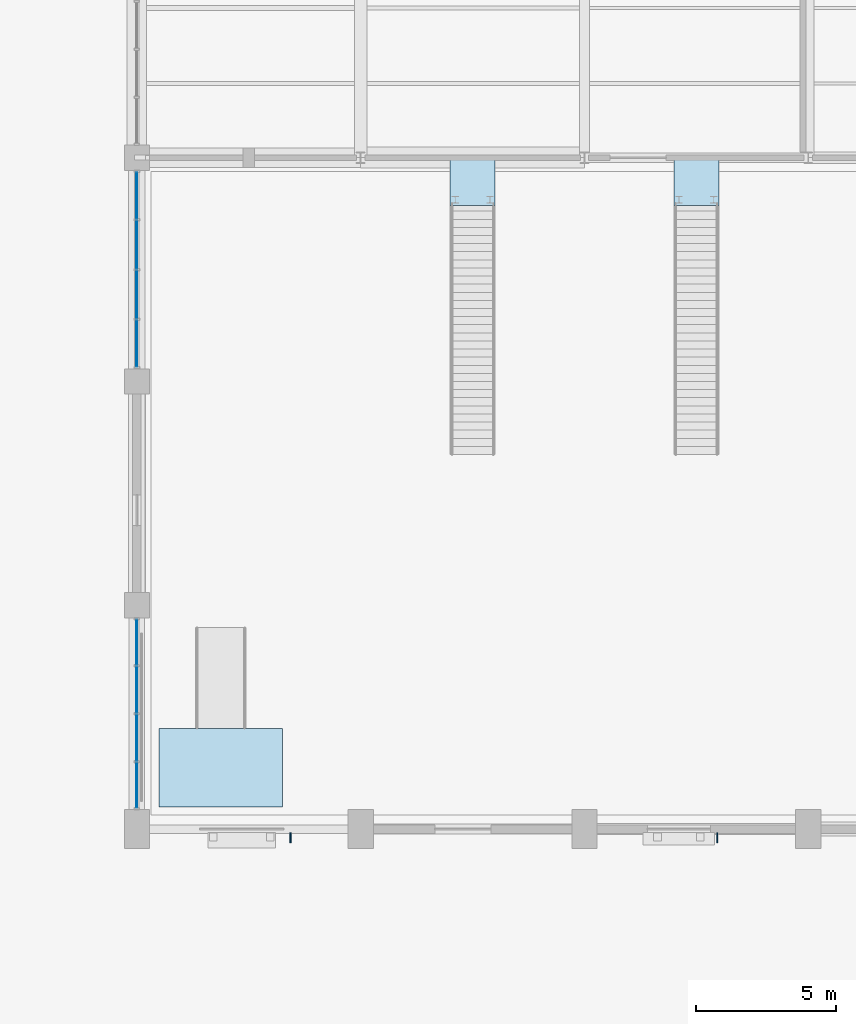
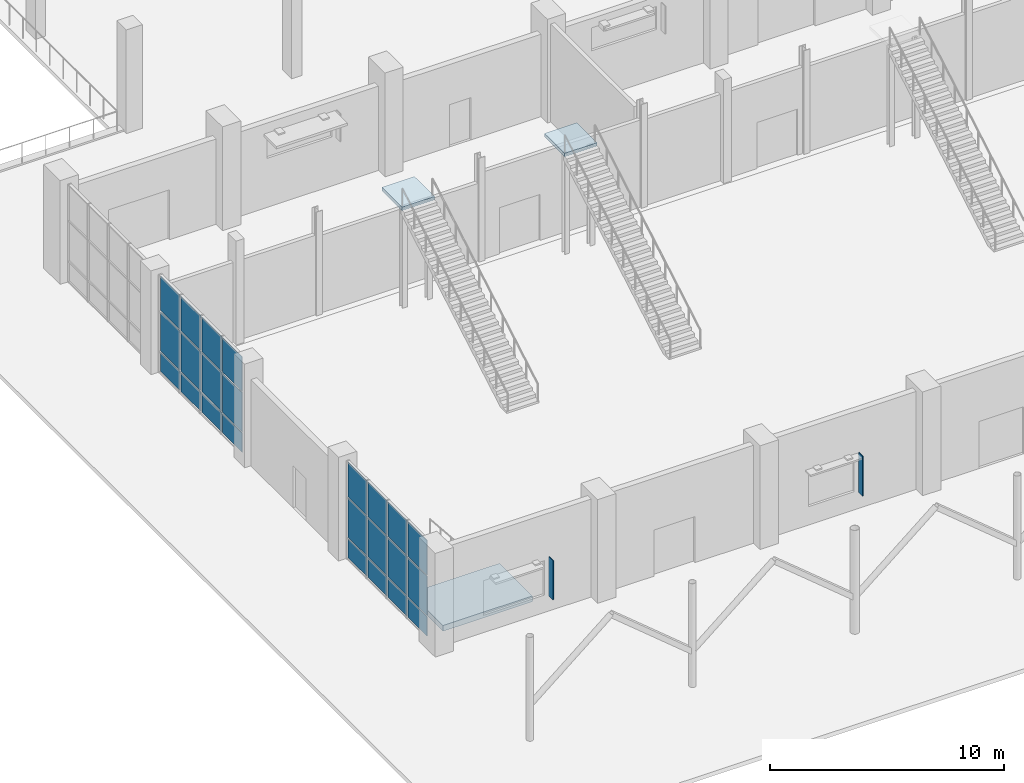
# One storey, part 65 of 123: 26 plates, 3 slabs, 4 elements without a shape of their own.
"""IFC4 building model written with IfcOpenShell, lengths in metres."""

from ifc_helpers import new_model, si_unit, direction, frame, origin, origin_2d, place, context, subcontext, project, spatial, polyline, rectangle, outline, extrude, material, layer, layer_set, type_object, element, aggregate, save


model = new_model("IFC4")

# Units and contexts
model_context = context("Model", 3, precision=1e-05, world=origin(), true_north=direction((0.0, 1.0)))
body_context = subcontext(model_context, "Body", "Model", "MODEL_VIEW")
ifc_project = project(units=[si_unit("LENGTHUNIT", "METRE"), si_unit("AREAUNIT", "SQUARE_METRE"), si_unit("VOLUMEUNIT", "CUBIC_METRE"), si_unit("PLANEANGLEUNIT", "RADIAN"), si_unit("MASSUNIT", "GRAM", prefix="KILO")], contexts=[model_context])

# Site, building, storey
site_placement = place(None, origin())
site = spatial("IfcSite", under=ifc_project, at=site_placement, CompositionType="ELEMENT")
building_placement = place(site_placement, origin())
building = spatial("IfcBuilding", under=site, at=building_placement, Name="Tenunan Teduh Sports Hall", CompositionType="ELEMENT")
storey_placement = place(building_placement, origin())
storey = spatial("IfcBuildingStorey", under=building, at=storey_placement, Name="L00", CompositionType="ELEMENT", Elevation=0.0)

# Curtain wall, plates
ifc_material_1 = material(Name="Anodised aluminium", Category="aluminium")
curtain_wall_type = type_object("IfcCurtainWallType", Name="CW-UNIT-2", PredefinedType="NOTDEFINED", material=ifc_material_1)
curtain_wall_1_placement = place(storey_placement, origin())
curtain_wall_1 = element("IfcCurtainWall", 1, at=curtain_wall_1_placement, inside=storey, type_object=curtain_wall_type, Name="CW-CWM-175-L00-034", PredefinedType="NOTDEFINED")
ifc_material_2 = material(Name="Low-E laminated double glazing", Category="glass")
ifc_layer_1 = layer(ifc_material_2, 0.028076171875)
ifc_layer_set_1 = layer_set([ifc_layer_1], Name="Low-E laminated double glazing")
plate_type_1 = type_object("IfcPlateType", Name="CWP-GLZ-28", PredefinedType="CURTAIN_PANEL", material=ifc_layer_set_1)
plate_1_placement = place(storey_placement, frame((6.0, 15.572509765625, 1.13232421875), z_axis=(0.0, 0.0, 1.0), x_axis=(0.0, 1.0, 0.0)))
plate_1 = element("IfcPlate", 2, at=plate_1_placement, type_object=plate_type_1, Name="CW-02 panel 1.2", PredefinedType="CURTAIN_PANEL", context=body_context, shape_type="SweptSolid", body=[
    extrude(rectangle(XDim=1.614990234375, YDim=0.028076171875, at=origin_2d()), origin(), (0.0, 0.0, 1.0), 2.034912109375),
])
plate_2_placement = place(storey_placement, frame((6.0, 15.572509765625, 3.232421875), z_axis=(0.0, 0.0, 1.0), x_axis=(0.0, 1.0, 0.0)))
plate_2 = element("IfcPlate", 3, at=plate_2_placement, type_object=plate_type_1, Name="CW-02 panel 1.3", PredefinedType="CURTAIN_PANEL", context=body_context, shape_type="SweptSolid", body=[
    extrude(rectangle(XDim=1.614990234375, YDim=0.028076171875, at=origin_2d()), origin(), (0.0, 0.0, 1.0), 1.802490234375),
])
plate_3_placement = place(storey_placement, frame((6.0, 17.268798828125, 1.13232421875), z_axis=(0.0, 0.0, 1.0), x_axis=(0.0, 1.0, 0.0)))
plate_3 = element("IfcPlate", 4, at=plate_3_placement, type_object=plate_type_1, Name="CW-02 panel 2.2", PredefinedType="CURTAIN_PANEL", context=body_context, shape_type="SweptSolid", body=[
    extrude(rectangle(XDim=1.6474609375, YDim=0.028076171875, at=origin_2d()), origin(), (0.0, 0.0, 1.0), 2.034912109375),
])
plate_4_placement = place(storey_placement, frame((6.0, 17.268798828125, 3.232421875), z_axis=(0.0, 0.0, 1.0), x_axis=(0.0, 1.0, 0.0)))
plate_4 = element("IfcPlate", 5, at=plate_4_placement, type_object=plate_type_1, Name="CW-02 panel 2.3", PredefinedType="CURTAIN_PANEL", context=body_context, shape_type="SweptSolid", body=[
    extrude(rectangle(XDim=1.6474609375, YDim=0.028076171875, at=origin_2d()), origin(), (0.0, 0.0, 1.0), 1.802490234375),
])
plate_5_placement = place(storey_placement, frame((6.0, 18.981201171875, 1.13232421875), z_axis=(0.0, 0.0, 1.0), x_axis=(0.0, 1.0, 0.0)))
plate_5 = element("IfcPlate", 6, at=plate_5_placement, type_object=plate_type_1, Name="CW-02 panel 3.2", PredefinedType="CURTAIN_PANEL", context=body_context, shape_type="SweptSolid", body=[
    extrude(rectangle(XDim=1.6474609375, YDim=0.028076171875, at=origin_2d()), origin(), (0.0, 0.0, 1.0), 2.034912109375),
])
plate_6_placement = place(storey_placement, frame((6.0, 18.981201171875, 3.232421875), z_axis=(0.0, 0.0, 1.0), x_axis=(0.0, 1.0, 0.0)))
plate_6 = element("IfcPlate", 7, at=plate_6_placement, type_object=plate_type_1, Name="CW-02 panel 3.3", PredefinedType="CURTAIN_PANEL", context=body_context, shape_type="SweptSolid", body=[
    extrude(rectangle(XDim=1.6474609375, YDim=0.028076171875, at=origin_2d()), origin(), (0.0, 0.0, 1.0), 1.802490234375),
])
plate_7_placement = place(storey_placement, frame((6.0, 20.677490234375, 1.13232421875), z_axis=(0.0, 0.0, 1.0), x_axis=(0.0, 1.0, 0.0)))
plate_7 = element("IfcPlate", 8, at=plate_7_placement, type_object=plate_type_1, Name="CW-02 panel 4.2", PredefinedType="CURTAIN_PANEL", context=body_context, shape_type="SweptSolid", body=[
    extrude(rectangle(XDim=1.614990234375, YDim=0.028076171875, at=origin_2d()), origin(), (0.0, 0.0, 1.0), 2.034912109375),
])
plate_8_placement = place(storey_placement, frame((6.0, 20.677490234375, 3.232421875), z_axis=(0.0, 0.0, 1.0), x_axis=(0.0, 1.0, 0.0)))
plate_8 = element("IfcPlate", 9, at=plate_8_placement, type_object=plate_type_1, Name="CW-02 panel 4.3", PredefinedType="CURTAIN_PANEL", context=body_context, shape_type="SweptSolid", body=[
    extrude(rectangle(XDim=1.614990234375, YDim=0.028076171875, at=origin_2d()), origin(), (0.0, 0.0, 1.0), 1.802490234375),
])

curtain_wall_2_placement = place(storey_placement, origin())
curtain_wall_2 = element("IfcCurtainWall", 10, at=curtain_wall_2_placement, inside=storey, type_object=curtain_wall_type, Name="CW-CWM-200-L00-036", PredefinedType="NOTDEFINED")
plate_9_placement = place(storey_placement, frame((6.0, 31.35498046875, 1.134765625), z_axis=(0.0, 0.0, 1.0), x_axis=(0.0, 1.0, 0.0)))
plate_9 = element("IfcPlate", 11, at=plate_9_placement, type_object=plate_type_1, Name="CW-02 panel 1.2", PredefinedType="CURTAIN_PANEL", context=body_context, shape_type="SweptSolid", body=[
    extrude(rectangle(XDim=1.669921875, YDim=0.028076171875, at=origin_2d()), origin(), (0.0, 0.0, 1.0), 2.030029296875),
])
plate_10_placement = place(storey_placement, frame((6.0, 31.35498046875, 3.235107421875), z_axis=(0.0, 0.0, 1.0), x_axis=(0.0, 1.0, 0.0)))
plate_10 = element("IfcPlate", 12, at=plate_10_placement, type_object=plate_type_1, Name="CW-02 panel 1.3", PredefinedType="CURTAIN_PANEL", context=body_context, shape_type="SweptSolid", body=[
    extrude(rectangle(XDim=1.669921875, YDim=0.028076171875, at=origin_2d()), origin(), (0.0, 0.0, 1.0), 1.794921875),
])
plate_11_placement = place(storey_placement, frame((6.0, 33.112548828125, 1.134765625), z_axis=(0.0, 0.0, 1.0), x_axis=(0.0, 1.0, 0.0)))
plate_11 = element("IfcPlate", 13, at=plate_11_placement, type_object=plate_type_1, Name="CW-02 panel 2.2", PredefinedType="CURTAIN_PANEL", context=body_context, shape_type="SweptSolid", body=[
    extrude(rectangle(XDim=1.705078125, YDim=0.028076171875, at=origin_2d()), origin(), (0.0, 0.0, 1.0), 2.030029296875),
])
plate_12_placement = place(storey_placement, frame((6.0, 33.112548828125, 3.235107421875), z_axis=(0.0, 0.0, 1.0), x_axis=(0.0, 1.0, 0.0)))
plate_12 = element("IfcPlate", 14, at=plate_12_placement, type_object=plate_type_1, Name="CW-02 panel 2.3", PredefinedType="CURTAIN_PANEL", context=body_context, shape_type="SweptSolid", body=[
    extrude(rectangle(XDim=1.705078125, YDim=0.028076171875, at=origin_2d()), origin(), (0.0, 0.0, 1.0), 1.794921875),
])
plate_13_placement = place(storey_placement, frame((6.0, 34.887451171875, 1.134765625), z_axis=(0.0, 0.0, 1.0), x_axis=(0.0, 1.0, 0.0)))
plate_13 = element("IfcPlate", 15, at=plate_13_placement, type_object=plate_type_1, Name="CW-02 panel 3.2", PredefinedType="CURTAIN_PANEL", context=body_context, shape_type="SweptSolid", body=[
    extrude(rectangle(XDim=1.705078125, YDim=0.028076171875, at=origin_2d()), origin(), (0.0, 0.0, 1.0), 2.030029296875),
])
plate_14_placement = place(storey_placement, frame((6.0, 34.887451171875, 3.235107421875), z_axis=(0.0, 0.0, 1.0), x_axis=(0.0, 1.0, 0.0)))
plate_14 = element("IfcPlate", 16, at=plate_14_placement, type_object=plate_type_1, Name="CW-02 panel 3.3", PredefinedType="CURTAIN_PANEL", context=body_context, shape_type="SweptSolid", body=[
    extrude(rectangle(XDim=1.705078125, YDim=0.028076171875, at=origin_2d()), origin(), (0.0, 0.0, 1.0), 1.794921875),
])
plate_15_placement = place(storey_placement, frame((6.0, 36.64501953125, 1.134765625), z_axis=(0.0, 0.0, 1.0), x_axis=(0.0, 1.0, 0.0)))
plate_15 = element("IfcPlate", 17, at=plate_15_placement, type_object=plate_type_1, Name="CW-02 panel 4.2", PredefinedType="CURTAIN_PANEL", context=body_context, shape_type="SweptSolid", body=[
    extrude(rectangle(XDim=1.669921875, YDim=0.028076171875, at=origin_2d()), origin(), (0.0, 0.0, 1.0), 2.030029296875),
])
plate_16_placement = place(storey_placement, frame((6.0, 36.64501953125, 3.235107421875), z_axis=(0.0, 0.0, 1.0), x_axis=(0.0, 1.0, 0.0)))
plate_16 = element("IfcPlate", 18, at=plate_16_placement, type_object=plate_type_1, Name="CW-02 panel 4.3", PredefinedType="CURTAIN_PANEL", context=body_context, shape_type="SweptSolid", body=[
    extrude(rectangle(XDim=1.669921875, YDim=0.028076171875, at=origin_2d()), origin(), (0.0, 0.0, 1.0), 1.794921875),
])

# Plate
ifc_material_3 = material(Name="Insulated aluminium spandrel panel", Category="aluminium")
ifc_layer_2 = layer(ifc_material_3, 0.044921875)
ifc_layer_set_2 = layer_set([ifc_layer_2], Name="Insulated aluminium spandrel panel")
plate_type_2 = type_object("IfcPlateType", Name="CWP-SPN-45", PredefinedType="CURTAIN_PANEL", material=ifc_layer_set_2)
plate_17_placement = place(storey_placement, frame((6.0, 15.572509765625, 0.06494140625), z_axis=(0.0, 0.0, 1.0), x_axis=(0.0, 1.0, 0.0)))
plate_17 = element("IfcPlate", 19, at=plate_17_placement, type_object=plate_type_2, Name="CW-02 panel 1.1", PredefinedType="CURTAIN_PANEL", context=body_context, shape_type="SweptSolid", body=[
    extrude(rectangle(XDim=1.614990234375, YDim=0.028076171875, at=origin_2d()), origin(), (0.0, 0.0, 1.0), 1.00244140625),
])

plate_18_placement = place(storey_placement, frame((6.0, 17.268798828125, 0.06494140625), z_axis=(0.0, 0.0, 1.0), x_axis=(0.0, 1.0, 0.0)))
plate_18 = element("IfcPlate", 20, at=plate_18_placement, type_object=plate_type_2, Name="CW-02 panel 2.1", PredefinedType="CURTAIN_PANEL", context=body_context, shape_type="SweptSolid", body=[
    extrude(rectangle(XDim=1.6474609375, YDim=0.028076171875, at=origin_2d()), origin(), (0.0, 0.0, 1.0), 1.00244140625),
])

plate_19_placement = place(storey_placement, frame((6.0, 18.981201171875, 0.06494140625), z_axis=(0.0, 0.0, 1.0), x_axis=(0.0, 1.0, 0.0)))
plate_19 = element("IfcPlate", 21, at=plate_19_placement, type_object=plate_type_2, Name="CW-02 panel 3.1", PredefinedType="CURTAIN_PANEL", context=body_context, shape_type="SweptSolid", body=[
    extrude(rectangle(XDim=1.6474609375, YDim=0.028076171875, at=origin_2d()), origin(), (0.0, 0.0, 1.0), 1.00244140625),
])

plate_20_placement = place(storey_placement, frame((6.0, 20.677490234375, 0.06494140625), z_axis=(0.0, 0.0, 1.0), x_axis=(0.0, 1.0, 0.0)))
plate_20 = element("IfcPlate", 22, at=plate_20_placement, type_object=plate_type_2, Name="CW-02 panel 4.1", PredefinedType="CURTAIN_PANEL", context=body_context, shape_type="SweptSolid", body=[
    extrude(rectangle(XDim=1.614990234375, YDim=0.028076171875, at=origin_2d()), origin(), (0.0, 0.0, 1.0), 1.00244140625),
])

aggregate(curtain_wall_1, [plate_17, plate_1, plate_2, plate_18, plate_3, plate_4, plate_19, plate_5, plate_6, plate_20, plate_7, plate_8])

plate_21_placement = place(storey_placement, frame((6.0, 31.35498046875, 0.06982421875), z_axis=(0.0, 0.0, 1.0), x_axis=(0.0, 1.0, 0.0)))
plate_21 = element("IfcPlate", 23, at=plate_21_placement, type_object=plate_type_2, Name="CW-02 panel 1.1", PredefinedType="CURTAIN_PANEL", context=body_context, shape_type="SweptSolid", body=[
    extrude(rectangle(XDim=1.669921875, YDim=0.028076171875, at=origin_2d()), origin(), (0.0, 0.0, 1.0), 0.9951171875),
])

plate_22_placement = place(storey_placement, frame((6.0, 33.112548828125, 0.06982421875), z_axis=(0.0, 0.0, 1.0), x_axis=(0.0, 1.0, 0.0)))
plate_22 = element("IfcPlate", 24, at=plate_22_placement, type_object=plate_type_2, Name="CW-02 panel 2.1", PredefinedType="CURTAIN_PANEL", context=body_context, shape_type="SweptSolid", body=[
    extrude(rectangle(XDim=1.705078125, YDim=0.028076171875, at=origin_2d()), origin(), (0.0, 0.0, 1.0), 0.9951171875),
])

plate_23_placement = place(storey_placement, frame((6.0, 34.887451171875, 0.06982421875), z_axis=(0.0, 0.0, 1.0), x_axis=(0.0, 1.0, 0.0)))
plate_23 = element("IfcPlate", 25, at=plate_23_placement, type_object=plate_type_2, Name="CW-02 panel 3.1", PredefinedType="CURTAIN_PANEL", context=body_context, shape_type="SweptSolid", body=[
    extrude(rectangle(XDim=1.705078125, YDim=0.028076171875, at=origin_2d()), origin(), (0.0, 0.0, 1.0), 0.9951171875),
])

plate_24_placement = place(storey_placement, frame((6.0, 36.64501953125, 0.06982421875), z_axis=(0.0, 0.0, 1.0), x_axis=(0.0, 1.0, 0.0)))
plate_24 = element("IfcPlate", 26, at=plate_24_placement, type_object=plate_type_2, Name="CW-02 panel 4.1", PredefinedType="CURTAIN_PANEL", context=body_context, shape_type="SweptSolid", body=[
    extrude(rectangle(XDim=1.669921875, YDim=0.028076171875, at=origin_2d()), origin(), (0.0, 0.0, 1.0), 0.9951171875),
])

aggregate(curtain_wall_2, [plate_21, plate_9, plate_10, plate_22, plate_11, plate_12, plate_23, plate_13, plate_14, plate_24, plate_15, plate_16])

# Plates
ifc_material_4 = material(Name="Anodised aluminium", Category="aluminium")
ifc_layer_3 = layer(ifc_material_4, 1.89990234375)
ifc_layer_set_3 = layer_set([ifc_layer_3], Name="Anodised aluminium")
plate_type_3 = type_object("IfcPlateType", Name="PLT-FIN-1", PredefinedType="SHEET", material=ifc_layer_set_3)
plate_25_placement = place(storey_placement, frame((11.489990234375, 13.68994140625, 0.780029296875), z_axis=(0.0, 0.0, 1.0), x_axis=(1.0, 0.0, 0.0)))
element("IfcPlate", 27, at=plate_25_placement, inside=storey, type_object=plate_type_3, Name="PLT-FIN-L00-004", PredefinedType="SHEET", context=body_context, shape_type="SweptSolid", body=[
    extrude(rectangle(XDim=0.0400390625, YDim=0.360107421875, at=origin_2d()), origin(), (0.0, 0.0, 1.0), 2.0400390625),
])
plate_26_placement = place(storey_placement, frame((26.739990234375, 13.68994140625, 0.830078125), z_axis=(0.0, 0.0, 1.0), x_axis=(1.0, 0.0, 0.0)))
element("IfcPlate", 28, at=plate_26_placement, inside=storey, type_object=plate_type_3, Name="PLT-FIN-L00-006", PredefinedType="SHEET", context=body_context, shape_type="SweptSolid", body=[
    extrude(rectangle(XDim=0.0400390625, YDim=0.360107421875, at=origin_2d()), origin(), (0.0, 0.0, 1.0), 2.090087890625),
])

# Slab
ifc_material_5 = material(Name="Concrete C40/50", Category="concrete")
ifc_layer_4 = layer(ifc_material_5, 0.199951171875)
ifc_layer_set_4 = layer_set([ifc_layer_4], Name="Concrete C40/50")
slab_type_1 = type_object("IfcSlabType", Name="SLB-FLR-200", PredefinedType="FLOOR", material=ifc_layer_set_4)
slab_1_placement = place(storey_placement, origin())
element("IfcSlab", 29, at=slab_1_placement, inside=storey, type_object=slab_type_1, Name="SL-L00-WHC-1", PredefinedType="FLOOR", context=body_context, shape_type="SweptSolid", body=[
    extrude(outline(polyline([(6.800048828125, 14.800048828125), (11.199951171875, 14.800048828125), (11.199951171875, 17.60009765625), (6.800048828125, 17.60009765625), (6.800048828125, 14.800048828125)])), origin(), (0.0, 0.0, 1.0), 0.300048828125),
])

# Stair, slab
ifc_material_6 = material(Name="Precast concrete C40/50", Category="concrete")
stair_type = type_object("IfcStairType", Name="STR-VOM-W", PredefinedType="STRAIGHT_RUN_STAIR", material=ifc_material_6)
stair_1_placement = place(storey_placement, origin())
stair_1 = element("IfcStair", 30, at=stair_1_placement, inside=storey, type_object=stair_type, Name="STR-VOM-V2A", PredefinedType="STRAIGHT_RUN_STAIR")
ifc_material_7 = material(Name="Precast concrete C40/50", Category="concrete")
ifc_layer_5 = layer(ifc_material_7, 0.179931640625)
ifc_layer_set_5 = layer_set([ifc_layer_5], Name="Precast concrete C40/50")
slab_type_2 = type_object("IfcSlabType", Name="SLB-LND-180", PredefinedType="LANDING", material=ifc_layer_set_5)
slab_2_placement = place(storey_placement, frame((0.0, 0.0, 5.219970703125)))
slab_2 = element("IfcSlab", 31, at=slab_2_placement, type_object=slab_type_2, Name="ST-26 landing 1", PredefinedType="LANDING", context=body_context, shape_type="SweptSolid", body=[
    extrude(outline(polyline([(17.199951171875, 36.300048828125), (18.800048828125, 36.300048828125), (18.800048828125, 38.02001953125), (17.199951171875, 38.02001953125), (17.199951171875, 36.300048828125)])), origin(), (0.0, 0.0, 1.0), 0.179931640625),
])
aggregate(stair_1, [slab_2])

stair_2_placement = place(storey_placement, origin())
stair_2 = element("IfcStair", 32, at=stair_2_placement, inside=storey, type_object=stair_type, Name="STR-VOM-V2M", PredefinedType="STRAIGHT_RUN_STAIR")
slab_3_placement = place(storey_placement, frame((0.0, 0.0, 5.219970703125)))
slab_3 = element("IfcSlab", 33, at=slab_3_placement, type_object=slab_type_2, Name="ST-27 landing 1", PredefinedType="LANDING", context=body_context, shape_type="SweptSolid", body=[
    extrude(outline(polyline([(25.199951171875, 36.300048828125), (26.800048828125, 36.300048828125), (26.800048828125, 38.02001953125), (25.199951171875, 38.02001953125), (25.199951171875, 36.300048828125)])), origin(), (0.0, 0.0, 1.0), 0.179931640625),
])
aggregate(stair_2, [slab_3])

save(model, "model.ifc")
